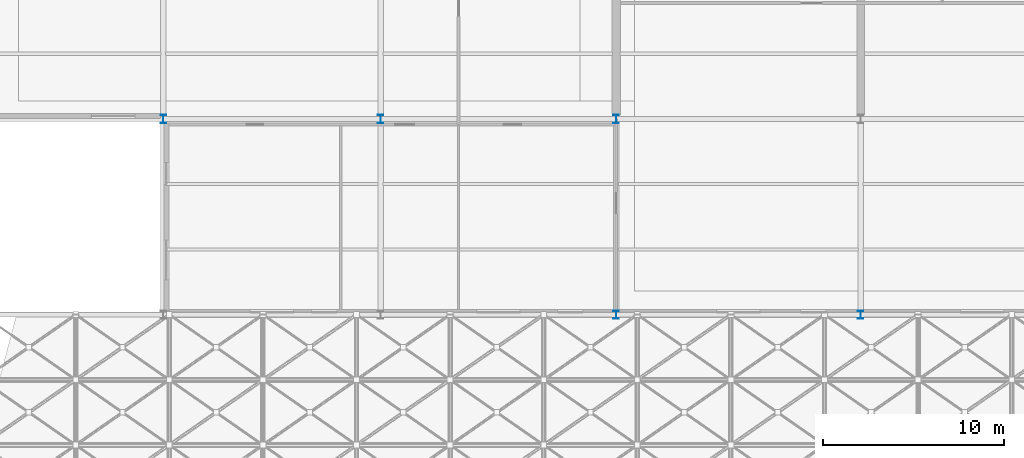
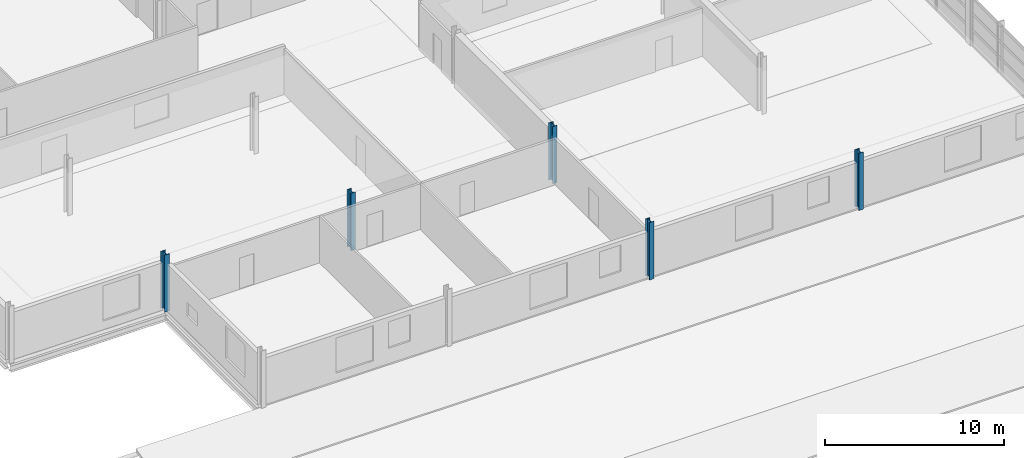
# One storey, part 6 of 110: 5 columns.
"""IFC4 building model written with IfcOpenShell, lengths in metres."""

from ifc_helpers import new_model, si_unit, direction, frame, origin, origin_2d, place, context, subcontext, project, spatial, i_section, extrude, material, material_profile, profile_set, type_object, element, save


model = new_model("IFC4")

# Units and contexts
model_context = context("Model", 3, precision=1e-05, world=origin(), true_north=direction((0.0, 1.0)))
body_context = subcontext(model_context, "Body", "Model", "MODEL_VIEW")
ifc_project = project(units=[si_unit("LENGTHUNIT", "METRE"), si_unit("AREAUNIT", "SQUARE_METRE"), si_unit("VOLUMEUNIT", "CUBIC_METRE"), si_unit("PLANEANGLEUNIT", "RADIAN"), si_unit("MASSUNIT", "GRAM", prefix="KILO")], contexts=[model_context])

# Site, building, storey
site_placement = place(None, origin())
site = spatial("IfcSite", under=ifc_project, at=site_placement, CompositionType="ELEMENT")
building_placement = place(site_placement, origin())
building = spatial("IfcBuilding", under=site, at=building_placement, Name="Tamarisk Ironworks Central Station", CompositionType="ELEMENT")
storey_placement = place(building_placement, frame((0.0, 0.0, 17.39990234375)))
storey = spatial("IfcBuildingStorey", under=building, at=storey_placement, Name="L03", CompositionType="ELEMENT", Elevation=17.39990234375)

# Columns
ifc_material = material(Name="Structural steel S355J2", Category="steel")
ifc_material_profile = material_profile(ifc_material, i_section(OverallWidth=0.300048828125, OverallDepth=0.449951171875, WebThickness=0.013916015625, FlangeThickness=0.02587890625, at=origin_2d()), Name="HEB 450")
ifc_profile_set = profile_set([ifc_material_profile], Name="Structural steel S355J2")
column_type = type_object("IfcColumnType", Name="COL-S08", PredefinedType="COLUMN", material=ifc_profile_set)
for number, where, z_axis, x_axis, name in (
    (1, (128.0, 90.0, 0.0), (0.0, 0.0, 1.0), (1.0, 0.0, 0.0), "L03 column V5-16H"),
    (2, (140.0, 90.0, 0.0), (0.0, 0.0, 1.0), (1.0, 0.0, 0.0), "L03 column V5-17H"),
    (3, (153.0, 79.199951171875, 0.0), (0.0, 0.0, 1.0), (1.0, 0.0, 0.0), "L03 column V5-18G"),
    (4, (153.0, 90.0, 0.0), (0.0, 0.0, 1.0), (1.0, 0.0, 0.0), "L03 column V5-18H"),
    (5, (166.5, 79.199951171875, 0.0), (0.0, 0.0, 1.0), (1.0, 0.0, 0.0), "L03 column V5-19G"),
):
    element("IfcColumn", number, at=place(storey_placement, frame(where, z_axis=z_axis, x_axis=x_axis)), inside=storey, type_object=column_type, Name=name, PredefinedType="COLUMN", context=body_context, shape_type="SweptSolid", body=[
        extrude(i_section(OverallWidth=0.300048828125, OverallDepth=0.449951171875, WebThickness=0.013916015625, FlangeThickness=0.02587890625, at=origin_2d()), origin(), (0.0, 0.0, 1.0), 3.900146484375),
    ])

save(model, "model.ifc")
